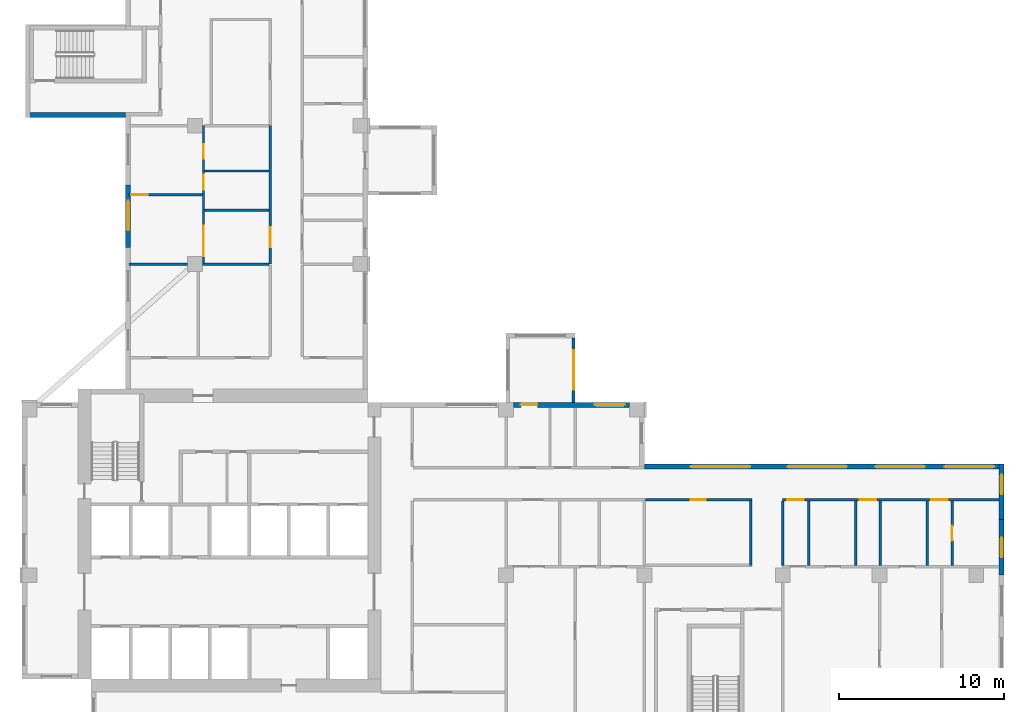
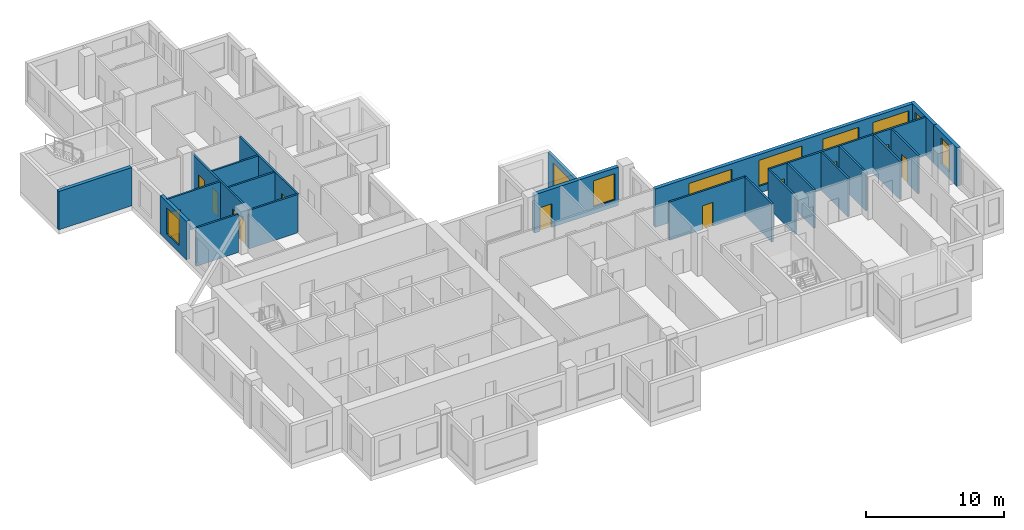
# One storey, part 6 of 12: 23 walls, 12 doors, 9 windows, 21 openings.
"""IFC4 building model written with IfcOpenShell, lengths in metres."""

from ifc_helpers import new_model, si_unit, direction, frame, frame_2d, origin, place, context, subcontext, project, spatial, rectangle, extrude, source, transform, mapped, material, layer, layer_set, type_object, element, fill, save


model = new_model("IFC4")

# Units and contexts
model_context = context("Model", 3, precision=1e-05, world=origin(), true_north=direction((0.0, 1.0)))
body_context = subcontext(model_context, "Body", "Model", "MODEL_VIEW")
ifc_project = project(units=[si_unit("LENGTHUNIT", "METRE"), si_unit("AREAUNIT", "SQUARE_METRE"), si_unit("VOLUMEUNIT", "CUBIC_METRE"), si_unit("PLANEANGLEUNIT", "RADIAN"), si_unit("MASSUNIT", "GRAM", prefix="KILO")], contexts=[model_context])

# Site, building, storey
site_placement = place(None, origin())
site = spatial("IfcSite", under=ifc_project, at=site_placement, CompositionType="ELEMENT")
building_placement = place(site_placement, origin())
building = spatial("IfcBuilding", under=site, at=building_placement, Name="Aurelian Terraces", CompositionType="ELEMENT")
storey_placement = place(building_placement, frame((0.0, 0.0, 181.6)))
storey = spatial("IfcBuildingStorey", under=building, at=storey_placement, Name="L39", CompositionType="ELEMENT", Elevation=181.6)

# Wall, opening, window
ifc_material_1 = material(Name="Terracotta rainscreen cladding", Category="masonry")
ifc_layer_1 = layer(ifc_material_1, 0.3)
ifc_layer_set_1 = layer_set([ifc_layer_1], Name="EW-300")
wall_type_1 = type_object("IfcWallType", Name="EW-300", PredefinedType="STANDARD", material=ifc_layer_set_1)
wall_1_placement = place(storey_placement, frame((59.49, 10.5, 0.0), z_axis=(0.0, 0.0, 1.0), x_axis=(0.0, 1.0, 0.0)))
wall_1 = element("IfcWall", 1, at=wall_1_placement, inside=storey, type_object=wall_type_1, Name="External wall L39 F04.12", PredefinedType="STANDARD", context=body_context, shape_type="SweptSolid", body=[
    extrude(rectangle(XDim=3.375, YDim=0.3, at=frame_2d((1.6875, 0.0))), origin(), (0.0, 0.0, 1.0), 3.4),
])
shared_shape_1 = source(origin(), body_context, "Body", "SweptSolid", [
    extrude(rectangle(XDim=1.2, YDim=2.3, at=frame_2d((0.6, 1.15))), frame((0.0, 0.16, 0.0), z_axis=(0.0, -1.0, 0.0), x_axis=(1.0, 0.0, 0.0)), (0.0, 0.0, 1.0), 0.32),
])
opening_1_placement = place(wall_1_placement, frame((1.0875, 0.0, 0.6)))
opening_1 = element("IfcOpeningElement", 2, at=opening_1_placement, cuts=wall_1, Name="Opening W1223", PredefinedType="OPENING", context=body_context, shape_type="MappedRepresentation", body=[
    mapped(shared_shape_1, transform((0.0, 0.0, 0.0), scale=1.0)),
])
ifc_material_2 = material(Name="Clear glazing", Category="glass")
window_type_1 = type_object("IfcWindowType", Name="W-1200x2300", PartitioningType="SINGLE_PANEL", PredefinedType="WINDOW", material=ifc_material_2)
shared_shape_2 = source(origin(), body_context, "Body", "SweptSolid", [
    extrude(rectangle(XDim=1.2, YDim=2.3, at=frame_2d((0.6, 1.15))), frame((0.0, 0.03, 0.0), z_axis=(0.0, -1.0, 0.0), x_axis=(1.0, 0.0, 0.0)), (0.0, 0.0, 1.0), 0.06),
])
window_1_placement = place(opening_1_placement, origin())
window_1 = element("IfcWindow", 3, at=window_1_placement, inside=storey, type_object=window_type_1, Name="Window L39 L39-F04-12-0", OverallHeight=2.3, OverallWidth=1.2, PartitioningType="SINGLE_PANEL", PredefinedType="WINDOW", context=body_context, shape_type="MappedRepresentation", body=[
    mapped(shared_shape_2, transform((0.0, 0.0, 0.0), scale=1.0)),
])
fill(opening_1, window_1)

# Wall
ifc_material_3 = material(Name="Concrete fc' 40 MPa", Category="concrete")
ifc_layer_2 = layer(ifc_material_3, 0.3)
ifc_layer_set_2 = layer_set([ifc_layer_2], Name="STAIR BAY WALL 300")
wall_type_2 = type_object("IfcWallType", Name="STAIR BAY WALL 300", PredefinedType="SOLIDWALL", material=ifc_layer_set_2)
shared_shape_3 = source(origin(), body_context, "Body", "SweptSolid", [
    extrude(rectangle(XDim=6.1, YDim=0.3, at=frame_2d((3.05, 0.0))), origin(), (0.0, 0.0, 1.0), 3.4),
])
wall_2_placement = place(storey_placement, frame((0.2, 38.45, 0.0), z_axis=(0.0, 0.0, 1.0), x_axis=(1.0, 0.0, 0.0)))
element("IfcWall", 4, at=wall_2_placement, inside=storey, type_object=wall_type_2, Name="Stair bay wall L39 F15.29", PredefinedType="SOLIDWALL", context=body_context, shape_type="MappedRepresentation", body=[
    mapped(shared_shape_3, transform((0.0, 0.0, 0.0), scale=1.0)),
])

# Wall, opening, window
ifc_layer_3 = layer(ifc_material_3, 0.2)
ifc_layer_set_3 = layer_set([ifc_layer_3], Name="BOX BEARING WALL 200")
wall_type_3 = type_object("IfcWallType", Name="BOX BEARING WALL 200", PredefinedType="SOLIDWALL", material=ifc_layer_set_3)
shared_shape_4 = source(origin(), body_context, "Body", "SweptSolid", [
    extrude(rectangle(XDim=3.9, YDim=0.2, at=frame_2d((1.95, 0.0))), origin(), (0.0, 0.0, 1.0), 3.4),
])
wall_3_placement = place(storey_placement, frame((33.5, 21.0, 0.0), z_axis=(0.0, 0.0, 1.0), x_axis=(0.0, 1.0, 0.0)))
wall_3 = element("IfcWall", 5, at=wall_3_placement, inside=storey, type_object=wall_type_3, Name="Box return L39 J52.1", PredefinedType="SOLIDWALL", context=body_context, shape_type="MappedRepresentation", body=[
    mapped(shared_shape_4, transform((0.0, 0.0, 0.0), scale=1.0)),
])
shared_shape_5 = source(origin(), body_context, "Body", "SweptSolid", [
    extrude(rectangle(XDim=2.4, YDim=2.3, at=frame_2d((1.2, 1.15))), frame((0.0, 0.11, 0.0), z_axis=(0.0, -1.0, 0.0), x_axis=(1.0, 0.0, 0.0)), (0.0, 0.0, 1.0), 0.22),
])
opening_2_placement = place(wall_3_placement, frame((0.75, 0.0, 0.6)))
opening_2 = element("IfcOpeningElement", 6, at=opening_2_placement, cuts=wall_3, Name="Opening W2423", PredefinedType="OPENING", context=body_context, shape_type="MappedRepresentation", body=[
    mapped(shared_shape_5, transform((0.0, 0.0, 0.0), scale=1.0)),
])
window_type_2 = type_object("IfcWindowType", Name="W-2400x2300", PartitioningType="SINGLE_PANEL", PredefinedType="WINDOW", material=ifc_material_2)
shared_shape_6 = source(origin(), body_context, "Body", "SweptSolid", [
    extrude(rectangle(XDim=2.4, YDim=2.3, at=frame_2d((1.2, 1.15))), frame((0.0, 0.03, 0.0), z_axis=(0.0, -1.0, 0.0), x_axis=(1.0, 0.0, 0.0)), (0.0, 0.0, 1.0), 0.06),
])
window_2_placement = place(opening_2_placement, origin())
window_2 = element("IfcWindow", 7, at=window_2_placement, inside=storey, type_object=window_type_2, Name="Window L39 J52-S1", OverallHeight=2.3, OverallWidth=2.4, PartitioningType="SINGLE_PANEL", PredefinedType="WINDOW", context=body_context, shape_type="MappedRepresentation", body=[
    mapped(shared_shape_6, transform((0.0, 0.0, 0.0), scale=1.0)),
])
fill(opening_2, window_2)

shared_shape_7 = source(origin(), body_context, "Body", "SweptSolid", [
    extrude(rectangle(XDim=3.8, YDim=0.3, at=frame_2d((1.9, 0.0))), origin(), (0.0, 0.0, 1.0), 3.4),
])
wall_4_placement = place(storey_placement, frame((6.45, 34.2, 0.0), z_axis=(0.0, 0.0, 1.0), x_axis=(0.0, -1.0, 0.0)))
wall_4 = element("IfcWall", 8, at=wall_4_placement, inside=storey, type_object=wall_type_2, Name="Bearing wall L39 F16.30", PredefinedType="SOLIDWALL", context=body_context, shape_type="MappedRepresentation", body=[
    mapped(shared_shape_7, transform((0.0, 0.0, 0.0), scale=1.0)),
])
shared_shape_8 = source(origin(), body_context, "Body", "SweptSolid", [
    extrude(rectangle(XDim=1.8, YDim=2.3, at=frame_2d((0.9, 1.15))), frame((0.0, 0.16, 0.0), z_axis=(0.0, -1.0, 0.0), x_axis=(1.0, 0.0, 0.0)), (0.0, 0.0, 1.0), 0.32),
])
opening_3_placement = place(wall_4_placement, frame((0.9625, 0.0, 0.6)))
opening_3 = element("IfcOpeningElement", 9, at=opening_3_placement, cuts=wall_4, Name="Opening W1823", PredefinedType="OPENING", context=body_context, shape_type="MappedRepresentation", body=[
    mapped(shared_shape_8, transform((0.0, 0.0, 0.0), scale=1.0)),
])
window_type_3 = type_object("IfcWindowType", Name="W-1800x2300", PartitioningType="SINGLE_PANEL", PredefinedType="WINDOW", material=ifc_material_2)
shared_shape_9 = source(origin(), body_context, "Body", "SweptSolid", [
    extrude(rectangle(XDim=1.8, YDim=2.3, at=frame_2d((0.9, 1.15))), frame((0.0, 0.03, 0.0), z_axis=(0.0, -1.0, 0.0), x_axis=(1.0, 0.0, 0.0)), (0.0, 0.0, 1.0), 0.06),
])
window_3_placement = place(opening_3_placement, origin())
window_3 = element("IfcWindow", 10, at=window_3_placement, inside=storey, type_object=window_type_3, Name="Window L39 L39-F16-30-1", OverallHeight=2.3, OverallWidth=1.8, PartitioningType="SINGLE_PANEL", PredefinedType="WINDOW", context=body_context, shape_type="MappedRepresentation", body=[
    mapped(shared_shape_9, transform((0.0, 0.0, 0.0), scale=1.0)),
])
fill(opening_3, window_3)

shared_shape_10 = source(origin(), body_context, "Body", "SweptSolid", [
    extrude(rectangle(XDim=3.375, YDim=0.3, at=frame_2d((1.6875, 0.0))), origin(), (0.0, 0.0, 1.0), 3.4),
])
wall_5_placement = place(storey_placement, frame((59.49, 13.875, 0.0), z_axis=(0.0, 0.0, 1.0), x_axis=(0.0, 1.0, 0.0)))
wall_5 = element("IfcWall", 11, at=wall_5_placement, inside=storey, type_object=wall_type_1, Name="External wall L39 F04.13", PredefinedType="STANDARD", context=body_context, shape_type="MappedRepresentation", body=[
    mapped(shared_shape_10, transform((0.0, 0.0, 0.0), scale=1.0)),
])
opening_4_placement = place(wall_5_placement, frame((1.5312, 0.0, 0.6)))
opening_4 = element("IfcOpeningElement", 12, at=opening_4_placement, cuts=wall_5, Name="Opening W1223", PredefinedType="OPENING", context=body_context, shape_type="MappedRepresentation", body=[
    mapped(shared_shape_1, transform((0.0, 0.0, 0.0), scale=1.0)),
])
window_4_placement = place(opening_4_placement, origin())
window_4 = element("IfcWindow", 13, at=window_4_placement, inside=storey, type_object=window_type_1, Name="Window L39 L39-F04-13-P0", OverallHeight=2.3, OverallWidth=1.2, PartitioningType="SINGLE_PANEL", PredefinedType="WINDOW", context=body_context, shape_type="MappedRepresentation", body=[
    mapped(shared_shape_2, transform((0.0, 0.0, 0.0), scale=1.0)),
])
fill(opening_4, window_4)

# Wall, openings, windows
shared_shape_11 = source(origin(), body_context, "Body", "SweptSolid", [
    extrude(rectangle(XDim=21.84, YDim=0.3, at=frame_2d((10.92, 0.0))), origin(), (0.0, 0.0, 1.0), 3.4),
])
wall_6_placement = place(storey_placement, frame((59.64, 17.1, 0.0), z_axis=(0.0, 0.0, 1.0), x_axis=(-1.0, 0.0, 0.0)))
wall_6 = element("IfcWall", 14, at=wall_6_placement, inside=storey, type_object=wall_type_1, Name="External wall L39 F05.14", PredefinedType="STANDARD", context=body_context, shape_type="MappedRepresentation", body=[
    mapped(shared_shape_11, transform((0.0, 0.0, 0.0), scale=1.0)),
])
shared_shape_12 = source(origin(), body_context, "Body", "SweptSolid", [
    extrude(rectangle(XDim=3.0, YDim=2.3, at=frame_2d((1.5, 1.15))), frame((0.0, 0.16, 0.0), z_axis=(0.0, -1.0, 0.0), x_axis=(1.0, 0.0, 0.0)), (0.0, 0.0, 1.0), 0.32),
])
opening_5_placement = place(wall_6_placement, frame((0.6, 0.0, 0.6)))
opening_5 = element("IfcOpeningElement", 15, at=opening_5_placement, cuts=wall_6, Name="Opening W3023", PredefinedType="OPENING", context=body_context, shape_type="MappedRepresentation", body=[
    mapped(shared_shape_12, transform((0.0, 0.0, 0.0), scale=1.0)),
])
opening_6_placement = place(wall_6_placement, frame((4.8, 0.0, 0.6)))
opening_6 = element("IfcOpeningElement", 16, at=opening_6_placement, cuts=wall_6, Name="Opening W3023", PredefinedType="OPENING", context=body_context, shape_type="MappedRepresentation", body=[
    mapped(shared_shape_12, transform((0.0, 0.0, 0.0), scale=1.0)),
])
shared_shape_13 = source(origin(), body_context, "Body", "SweptSolid", [
    extrude(rectangle(XDim=3.6, YDim=2.3, at=frame_2d((1.8, 1.15))), frame((0.0, 0.16, 0.0), z_axis=(0.0, -1.0, 0.0), x_axis=(1.0, 0.0, 0.0)), (0.0, 0.0, 1.0), 0.32),
])
opening_7_placement = place(wall_6_placement, frame((9.54, 0.0, 0.6)))
opening_7 = element("IfcOpeningElement", 17, at=opening_7_placement, cuts=wall_6, Name="Opening W3623", PredefinedType="OPENING", context=body_context, shape_type="MappedRepresentation", body=[
    mapped(shared_shape_13, transform((0.0, 0.0, 0.0), scale=1.0)),
])
opening_8_placement = place(wall_6_placement, frame((15.42, 0.0, 0.6)))
opening_8 = element("IfcOpeningElement", 18, at=opening_8_placement, cuts=wall_6, Name="Opening W3623", PredefinedType="OPENING", context=body_context, shape_type="MappedRepresentation", body=[
    mapped(shared_shape_13, transform((0.0, 0.0, 0.0), scale=1.0)),
])
window_type_4 = type_object("IfcWindowType", Name="W-3600x2300", PartitioningType="SINGLE_PANEL", PredefinedType="WINDOW", material=ifc_material_2)
shared_shape_14 = source(origin(), body_context, "Body", "SweptSolid", [
    extrude(rectangle(XDim=3.6, YDim=2.3, at=frame_2d((1.8, 1.15))), frame((0.0, 0.03, 0.0), z_axis=(0.0, -1.0, 0.0), x_axis=(1.0, 0.0, 0.0)), (0.0, 0.0, 1.0), 0.06),
])
window_5_placement = place(opening_7_placement, origin())
window_5 = element("IfcWindow", 19, at=window_5_placement, inside=storey, type_object=window_type_4, Name="Window L39 L39-F05-14-2", OverallHeight=2.3, OverallWidth=3.6, PartitioningType="SINGLE_PANEL", PredefinedType="WINDOW", context=body_context, shape_type="MappedRepresentation", body=[
    mapped(shared_shape_14, transform((0.0, 0.0, 0.0), scale=1.0)),
])
fill(opening_7, window_5)
window_6_placement = place(opening_8_placement, origin())
window_6 = element("IfcWindow", 20, at=window_6_placement, inside=storey, type_object=window_type_4, Name="Window L39 L39-F05-14-3", OverallHeight=2.3, OverallWidth=3.6, PartitioningType="SINGLE_PANEL", PredefinedType="WINDOW", context=body_context, shape_type="MappedRepresentation", body=[
    mapped(shared_shape_14, transform((0.0, 0.0, 0.0), scale=1.0)),
])
fill(opening_8, window_6)
window_type_5 = type_object("IfcWindowType", Name="W-3000x2300", PartitioningType="SINGLE_PANEL", PredefinedType="WINDOW", material=ifc_material_2)
shared_shape_15 = source(origin(), body_context, "Body", "SweptSolid", [
    extrude(rectangle(XDim=3.0, YDim=2.3, at=frame_2d((1.5, 1.15))), frame((0.0, 0.03, 0.0), z_axis=(0.0, -1.0, 0.0), x_axis=(1.0, 0.0, 0.0)), (0.0, 0.0, 1.0), 0.06),
])
window_7_placement = place(opening_5_placement, origin())
window_7 = element("IfcWindow", 21, at=window_7_placement, inside=storey, type_object=window_type_5, Name="Window L39 L39-F05-14-0", OverallHeight=2.3, OverallWidth=3.0, PartitioningType="SINGLE_PANEL", PredefinedType="WINDOW", context=body_context, shape_type="MappedRepresentation", body=[
    mapped(shared_shape_15, transform((0.0, 0.0, 0.0), scale=1.0)),
])
fill(opening_5, window_7)
window_8_placement = place(opening_6_placement, origin())
window_8 = element("IfcWindow", 22, at=window_8_placement, inside=storey, type_object=window_type_5, Name="Window L39 L39-F05-14-1", OverallHeight=2.3, OverallWidth=3.0, PartitioningType="SINGLE_PANEL", PredefinedType="WINDOW", context=body_context, shape_type="MappedRepresentation", body=[
    mapped(shared_shape_15, transform((0.0, 0.0, 0.0), scale=1.0)),
])
fill(opening_6, window_8)

# Wall, openings, window, door
shared_shape_16 = source(origin(), body_context, "Body", "SweptSolid", [
    extrude(rectangle(XDim=7.05, YDim=0.3, at=frame_2d((3.525, 0.0))), origin(), (0.0, 0.0, 1.0), 3.4),
])
wall_7_placement = place(storey_placement, frame((36.9, 20.85, 0.0), z_axis=(0.0, 0.0, 1.0), x_axis=(-1.0, 0.0, 0.0)))
wall_7 = element("IfcWall", 23, at=wall_7_placement, inside=storey, type_object=wall_type_1, Name="External wall L39 F07.16", PredefinedType="STANDARD", context=body_context, shape_type="MappedRepresentation", body=[
    mapped(shared_shape_16, transform((0.0, 0.0, 0.0), scale=1.0)),
])
opening_9_placement = place(wall_7_placement, frame((0.3, 0.0, 0.6)))
opening_9 = element("IfcOpeningElement", 24, at=opening_9_placement, cuts=wall_7, Name="Opening W1823", PredefinedType="OPENING", context=body_context, shape_type="MappedRepresentation", body=[
    mapped(shared_shape_8, transform((0.0, 0.0, 0.0), scale=1.0)),
])
shared_shape_17 = source(origin(), body_context, "Body", "SweptSolid", [
    extrude(rectangle(XDim=1.0, YDim=2.1, at=frame_2d((0.5, 1.05))), frame((0.0, 0.16, 0.0), z_axis=(0.0, -1.0, 0.0), x_axis=(1.0, 0.0, 0.0)), (0.0, 0.0, 1.0), 0.32),
])
opening_10_placement = place(wall_7_placement, frame((5.6, 0.0, 0.0)))
opening_10 = element("IfcOpeningElement", 25, at=opening_10_placement, cuts=wall_7, Name="Opening 839002", PredefinedType="OPENING", context=body_context, shape_type="MappedRepresentation", body=[
    mapped(shared_shape_17, transform((0.0, 0.0, 0.0), scale=1.0)),
])
window_9_placement = place(opening_9_placement, origin())
window_9 = element("IfcWindow", 26, at=window_9_placement, inside=storey, type_object=window_type_3, Name="Window L39 L39-F07-16-0", OverallHeight=2.3, OverallWidth=1.8, PartitioningType="SINGLE_PANEL", PredefinedType="WINDOW", context=body_context, shape_type="MappedRepresentation", body=[
    mapped(shared_shape_9, transform((0.0, 0.0, 0.0), scale=1.0)),
])
fill(opening_9, window_9)
ifc_material_4 = material(Name="Timber door leaf", Category="wood")
door_type_1 = type_object("IfcDoorType", Name="Room door 1000x2100 left", OperationType="SINGLE_SWING_LEFT", PredefinedType="DOOR", material=ifc_material_4)
shared_shape_18 = source(origin(), body_context, "Body", "SweptSolid", [
    extrude(rectangle(XDim=1.0, YDim=2.1, at=frame_2d((0.5, 1.05))), frame((0.0, 0.025, 0.0), z_axis=(0.0, -1.0, 0.0), x_axis=(1.0, 0.0, 0.0)), (0.0, 0.0, 1.0), 0.05),
])
door_1_placement = place(opening_10_placement, origin())
door_1 = element("IfcDoor", 27, at=door_1_placement, inside=storey, type_object=door_type_1, Name="Door 839002", OperationType="SINGLE_SWING_LEFT", OverallHeight=2.1, OverallWidth=1.0, PredefinedType="DOOR", context=body_context, shape_type="MappedRepresentation", body=[
    mapped(shared_shape_18, transform((0.0, 0.0, 0.0), scale=1.0)),
])
fill(opening_10, door_1)

# Wall, opening, door
ifc_material_5 = material(Name="Gypsum board on steel studs", Category="steel")
ifc_layer_4 = layer(ifc_material_5, 0.15)
ifc_layer_set_4 = layer_set([ifc_layer_4], Name="Fire partition 150")
wall_type_4 = type_object("IfcWallType", Name="Fire partition 150", PredefinedType="PARTITIONING", material=ifc_layer_set_4)
shared_shape_19 = source(origin(), body_context, "Body", "SweptSolid", [
    extrude(rectangle(XDim=6.45, YDim=0.15, at=frame_2d((3.225, 0.0))), origin(), (0.0, 0.0, 1.0), 3.4),
])
wall_8_placement = place(storey_placement, frame((44.325, 15.075, 0.0), z_axis=(0.0, 0.0, 1.0), x_axis=(-1.0, 0.0, 0.0)))
wall_8 = element("IfcWall", 28, at=wall_8_placement, inside=storey, type_object=wall_type_4, Name="Corridor wall", PredefinedType="PARTITIONING", context=body_context, shape_type="MappedRepresentation", body=[
    mapped(shared_shape_19, transform((0.0, 0.0, 0.0), scale=1.0)),
])
shared_shape_20 = source(origin(), body_context, "Body", "SweptSolid", [
    extrude(rectangle(XDim=0.9, YDim=2.1, at=frame_2d((0.45, 1.05))), frame((0.0, 0.085, 0.0), z_axis=(0.0, -1.0, 0.0), x_axis=(1.0, 0.0, 0.0)), (0.0, 0.0, 1.0), 0.17),
])
opening_11_placement = place(wall_8_placement, frame((2.8125, 0.0, 0.0)))
opening_11 = element("IfcOpeningElement", 29, at=opening_11_placement, cuts=wall_8, Name="Opening 739005", PredefinedType="OPENING", context=body_context, shape_type="MappedRepresentation", body=[
    mapped(shared_shape_20, transform((0.0, 0.0, 0.0), scale=1.0)),
])
door_type_2 = type_object("IfcDoorType", Name="Room door 900x2100 left", OperationType="SINGLE_SWING_LEFT", PredefinedType="DOOR", material=ifc_material_4)
shared_shape_21 = source(origin(), body_context, "Body", "SweptSolid", [
    extrude(rectangle(XDim=0.9, YDim=2.1, at=frame_2d((0.45, 1.05))), frame((0.0, 0.025, 0.0), z_axis=(0.0, -1.0, 0.0), x_axis=(1.0, 0.0, 0.0)), (0.0, 0.0, 1.0), 0.05),
])
door_2_placement = place(opening_11_placement, origin())
door_2 = element("IfcDoor", 30, at=door_2_placement, inside=storey, type_object=door_type_2, Name="Door 739005", OperationType="SINGLE_SWING_LEFT", OverallHeight=2.1, OverallWidth=0.9, PredefinedType="DOOR", context=body_context, shape_type="MappedRepresentation", body=[
    mapped(shared_shape_21, transform((0.0, 0.0, 0.0), scale=1.0)),
])
fill(opening_11, door_2)

# Walls
ifc_layer_5 = layer(ifc_material_5, 0.15)
ifc_layer_set_5 = layer_set([ifc_layer_5], Name="Partition 150")
wall_type_5 = type_object("IfcWallType", Name="Partition 150", PredefinedType="PARTITIONING", material=ifc_layer_set_5)
shared_shape_22 = source(origin(), body_context, "Body", "SweptSolid", [
    extrude(rectangle(XDim=3.9, YDim=0.15, at=frame_2d((1.95, 0.0))), origin(), (0.0, 0.0, 1.0), 3.4),
])
for number, where, z_axis, x_axis, name in (
    (31, (47.775, 11.1, 0.0), (0.0, 0.0, 1.0), (0.0, 1.0, 0.0), "Partition"),
    (32, (50.63, 11.1, 0.0), (0.0, 0.0, 1.0), (0.0, 1.0, 0.0), "Partition"),
    (33, (52.13, 11.1, 0.0), (0.0, 0.0, 1.0), (0.0, 1.0, 0.0), "Partition"),
    (34, (54.985, 11.1, 0.0), (0.0, 0.0, 1.0), (0.0, 1.0, 0.0), "Partition"),
):
    element("IfcWall", number, at=place(storey_placement, frame(where, z_axis=z_axis, x_axis=x_axis)), inside=storey, type_object=wall_type_5, Name=name, PredefinedType="PARTITIONING", context=body_context, shape_type="MappedRepresentation", body=[
        mapped(shared_shape_22, transform((0.0, 0.0, 0.0), scale=1.0)),
    ])

# Wall, opening, door
wall_9_placement = place(storey_placement, frame((56.485, 11.1, 0.0), z_axis=(0.0, 0.0, 1.0), x_axis=(0.0, 1.0, 0.0)))
wall_9 = element("IfcWall", 35, at=wall_9_placement, inside=storey, type_object=wall_type_5, Name="Partition", PredefinedType="PARTITIONING", context=body_context, shape_type="MappedRepresentation", body=[
    mapped(shared_shape_22, transform((0.0, 0.0, 0.0), scale=1.0)),
])
opening_12_placement = place(wall_9_placement, frame((1.5, 0.0, 0.0)))
opening_12 = element("IfcOpeningElement", 36, at=opening_12_placement, cuts=wall_9, Name="Opening 739044", PredefinedType="OPENING", context=body_context, shape_type="MappedRepresentation", body=[
    mapped(shared_shape_20, transform((0.0, 0.0, 0.0), scale=1.0)),
])
door_3_placement = place(opening_12_placement, origin())
door_3 = element("IfcDoor", 37, at=door_3_placement, inside=storey, type_object=door_type_2, Name="Door 739044", OperationType="SINGLE_SWING_LEFT", OverallHeight=2.1, OverallWidth=0.9, PredefinedType="DOOR", context=body_context, shape_type="MappedRepresentation", body=[
    mapped(shared_shape_21, transform((0.0, 0.0, 0.0), scale=1.0)),
])
fill(opening_12, door_3)

# Walls
wall_10_placement = place(storey_placement, frame((46.2, 11.1, 0.0), z_axis=(0.0, 0.0, 1.0), x_axis=(0.0, 1.0, 0.0)))
element("IfcWall", 38, at=wall_10_placement, inside=storey, type_object=wall_type_4, Name="Party wall", PredefinedType="PARTITIONING", context=body_context, shape_type="MappedRepresentation", body=[
    mapped(shared_shape_22, transform((0.0, 0.0, 0.0), scale=1.0)),
])
for number, where, z_axis, x_axis, name in (
    (39, (15.0, 32.6603, 0.0), (0.0, 0.0, 1.0), (-1.0, 0.0, 0.0), "Partition"),
    (40, (15.0, 35.0493, 0.0), (0.0, 0.0, 1.0), (-1.0, 0.0, 0.0), "Partition"),
):
    element("IfcWall", number, at=place(storey_placement, frame(where, z_axis=z_axis, x_axis=x_axis)), inside=storey, type_object=wall_type_5, Name=name, PredefinedType="PARTITIONING", context=body_context, shape_type="MappedRepresentation", body=[
        mapped(shared_shape_22, transform((0.0, 0.0, 0.0), scale=1.0)),
    ])

# Wall, openings, doors
shared_shape_23 = source(origin(), body_context, "Body", "SweptSolid", [
    extrude(rectangle(XDim=8.4, YDim=0.15, at=frame_2d((4.2, 0.0))), origin(), (0.0, 0.0, 1.0), 3.4),
])
wall_11_placement = place(storey_placement, frame((11.025, 29.4, 0.0), z_axis=(0.0, 0.0, 1.0), x_axis=(0.0, 1.0, 0.0)))
wall_11 = element("IfcWall", 41, at=wall_11_placement, inside=storey, type_object=wall_type_5, Name="Partition", PredefinedType="PARTITIONING", context=body_context, shape_type="MappedRepresentation", body=[
    mapped(shared_shape_23, transform((0.0, 0.0, 0.0), scale=1.0)),
])
opening_13_placement = place(wall_11_placement, frame((1.418, 0.0, 0.0)))
opening_13 = element("IfcOpeningElement", 42, at=opening_13_placement, cuts=wall_11, Name="Opening 739028", PredefinedType="OPENING", context=body_context, shape_type="MappedRepresentation", body=[
    mapped(shared_shape_20, transform((0.0, 0.0, 0.0), scale=1.0)),
])
opening_14_placement = place(wall_11_placement, frame((0.46, 0.0, 0.0)))
opening_14 = element("IfcOpeningElement", 43, at=opening_14_placement, cuts=wall_11, Name="Opening 739029", PredefinedType="OPENING", context=body_context, shape_type="MappedRepresentation", body=[
    mapped(shared_shape_20, transform((0.0, 0.0, 0.0), scale=1.0)),
])
opening_15_placement = place(wall_11_placement, frame((4.5247, 0.0, 0.0)))
opening_15 = element("IfcOpeningElement", 44, at=opening_15_placement, cuts=wall_11, Name="Opening 739031", PredefinedType="OPENING", context=body_context, shape_type="MappedRepresentation", body=[
    mapped(shared_shape_20, transform((0.0, 0.0, 0.0), scale=1.0)),
])
opening_16_placement = place(wall_11_placement, frame((6.3872, 0.0, 0.0)))
opening_16 = element("IfcOpeningElement", 45, at=opening_16_placement, cuts=wall_11, Name="Opening 739032", PredefinedType="OPENING", context=body_context, shape_type="MappedRepresentation", body=[
    mapped(shared_shape_20, transform((0.0, 0.0, 0.0), scale=1.0)),
])
door_4_placement = place(opening_13_placement, origin())
door_4 = element("IfcDoor", 46, at=door_4_placement, inside=storey, type_object=door_type_2, Name="Door 739028", OperationType="SINGLE_SWING_LEFT", OverallHeight=2.1, OverallWidth=0.9, PredefinedType="DOOR", context=body_context, shape_type="MappedRepresentation", body=[
    mapped(shared_shape_21, transform((0.0, 0.0, 0.0), scale=1.0)),
])
fill(opening_13, door_4)
door_type_3 = type_object("IfcDoorType", Name="Room door 900x2100 right", OperationType="SINGLE_SWING_RIGHT", PredefinedType="DOOR", material=ifc_material_4)
door_5_placement = place(opening_14_placement, origin())
door_5 = element("IfcDoor", 47, at=door_5_placement, inside=storey, type_object=door_type_3, Name="Door 739029", OperationType="SINGLE_SWING_RIGHT", OverallHeight=2.1, OverallWidth=0.9, PredefinedType="DOOR", context=body_context, shape_type="MappedRepresentation", body=[
    mapped(shared_shape_21, transform((0.0, 0.0, 0.0), scale=1.0)),
])
fill(opening_14, door_5)
door_6_placement = place(opening_15_placement, origin())
door_6 = element("IfcDoor", 48, at=door_6_placement, inside=storey, type_object=door_type_3, Name="Door 739031", OperationType="SINGLE_SWING_RIGHT", OverallHeight=2.1, OverallWidth=0.9, PredefinedType="DOOR", context=body_context, shape_type="MappedRepresentation", body=[
    mapped(shared_shape_21, transform((0.0, 0.0, 0.0), scale=1.0)),
])
fill(opening_15, door_6)
door_7_placement = place(opening_16_placement, origin())
door_7 = element("IfcDoor", 49, at=door_7_placement, inside=storey, type_object=door_type_2, Name="Door 739032", OperationType="SINGLE_SWING_LEFT", OverallHeight=2.1, OverallWidth=0.9, PredefinedType="DOOR", context=body_context, shape_type="MappedRepresentation", body=[
    mapped(shared_shape_21, transform((0.0, 0.0, 0.0), scale=1.0)),
])
fill(opening_16, door_7)

# Wall, opening, door
wall_12_placement = place(storey_placement, frame((15.075, 29.4, 0.0), z_axis=(0.0, 0.0, 1.0), x_axis=(0.0, 1.0, 0.0)))
wall_12 = element("IfcWall", 50, at=wall_12_placement, inside=storey, type_object=wall_type_4, Name="Corridor wall", PredefinedType="PARTITIONING", context=body_context, shape_type="MappedRepresentation", body=[
    mapped(shared_shape_23, transform((0.0, 0.0, 0.0), scale=1.0)),
])
shared_shape_24 = source(origin(), body_context, "Body", "SweptSolid", [
    extrude(rectangle(XDim=1.2, YDim=2.1, at=frame_2d((0.6, 1.05))), frame((0.0, 0.085, 0.0), z_axis=(0.0, -1.0, 0.0), x_axis=(1.0, 0.0, 0.0)), (0.0, 0.0, 1.0), 0.17),
])
opening_17_placement = place(wall_12_placement, frame((1.0302, 0.0, 0.0)))
opening_17 = element("IfcOpeningElement", 51, at=opening_17_placement, cuts=wall_12, Name="Opening 739027", PredefinedType="OPENING", context=body_context, shape_type="MappedRepresentation", body=[
    mapped(shared_shape_24, transform((0.0, 0.0, 0.0), scale=1.0)),
])
ifc_material_6 = material(Name="Steel door leaf", Category="steel")
door_type_4 = type_object("IfcDoorType", Name="Entrance fire door 1200x2100 right", OperationType="SINGLE_SWING_RIGHT", PredefinedType="DOOR", material=ifc_material_6)
shared_shape_25 = source(origin(), body_context, "Body", "SweptSolid", [
    extrude(rectangle(XDim=1.2, YDim=2.1, at=frame_2d((0.6, 1.05))), frame((0.0, 0.025, 0.0), z_axis=(0.0, -1.0, 0.0), x_axis=(1.0, 0.0, 0.0)), (0.0, 0.0, 1.0), 0.05),
])
door_8_placement = place(opening_17_placement, origin())
door_8 = element("IfcDoor", 52, at=door_8_placement, inside=storey, type_object=door_type_4, Name="Door 739027", OperationType="SINGLE_SWING_RIGHT", OverallHeight=2.1, OverallWidth=1.2, PredefinedType="DOOR", context=body_context, shape_type="MappedRepresentation", body=[
    mapped(shared_shape_25, transform((0.0, 0.0, 0.0), scale=1.0)),
])
fill(opening_17, door_8)

# Wall, openings, doors
shared_shape_26 = source(origin(), body_context, "Body", "SweptSolid", [
    extrude(rectangle(XDim=13.14, YDim=0.15, at=frame_2d((6.57, 0.0))), origin(), (0.0, 0.0, 1.0), 3.4),
])
wall_13_placement = place(storey_placement, frame((59.34, 15.075, 0.0), z_axis=(0.0, 0.0, 1.0), x_axis=(-1.0, 0.0, 0.0)))
wall_13 = element("IfcWall", 53, at=wall_13_placement, inside=storey, type_object=wall_type_4, Name="Corridor wall", PredefinedType="PARTITIONING", context=body_context, shape_type="MappedRepresentation", body=[
    mapped(shared_shape_26, transform((0.0, 0.0, 0.0), scale=1.0)),
])
shared_shape_27 = source(origin(), body_context, "Body", "SweptSolid", [
    extrude(rectangle(XDim=1.0, YDim=2.1, at=frame_2d((0.5, 1.05))), frame((0.0, 0.085, 0.0), z_axis=(0.0, -1.0, 0.0), x_axis=(1.0, 0.0, 0.0)), (0.0, 0.0, 1.0), 0.17),
])
opening_18_placement = place(wall_13_placement, frame((11.8525, 0.0, 0.0)))
opening_18 = element("IfcOpeningElement", 54, at=opening_18_placement, cuts=wall_13, Name="Opening 739013", PredefinedType="OPENING", context=body_context, shape_type="MappedRepresentation", body=[
    mapped(shared_shape_27, transform((0.0, 0.0, 0.0), scale=1.0)),
])
opening_19_placement = place(wall_13_placement, frame((7.46, 0.0, 0.0)))
opening_19 = element("IfcOpeningElement", 55, at=opening_19_placement, cuts=wall_13, Name="Opening 739016", PredefinedType="OPENING", context=body_context, shape_type="MappedRepresentation", body=[
    mapped(shared_shape_27, transform((0.0, 0.0, 0.0), scale=1.0)),
])
opening_20_placement = place(wall_13_placement, frame((3.105, 0.0, 0.0)))
opening_20 = element("IfcOpeningElement", 56, at=opening_20_placement, cuts=wall_13, Name="Opening 739018", PredefinedType="OPENING", context=body_context, shape_type="MappedRepresentation", body=[
    mapped(shared_shape_27, transform((0.0, 0.0, 0.0), scale=1.0)),
])
door_type_5 = type_object("IfcDoorType", Name="Entrance fire door 1000x2100 right", OperationType="SINGLE_SWING_RIGHT", PredefinedType="DOOR", material=ifc_material_6)
door_9_placement = place(opening_18_placement, origin())
door_9 = element("IfcDoor", 57, at=door_9_placement, inside=storey, type_object=door_type_5, Name="Door 739013", OperationType="SINGLE_SWING_RIGHT", OverallHeight=2.1, OverallWidth=1.0, PredefinedType="DOOR", context=body_context, shape_type="MappedRepresentation", body=[
    mapped(shared_shape_18, transform((0.0, 0.0, 0.0), scale=1.0)),
])
fill(opening_18, door_9)
door_type_6 = type_object("IfcDoorType", Name="Entrance fire door 1000x2100 left", OperationType="SINGLE_SWING_LEFT", PredefinedType="DOOR", material=ifc_material_6)
door_10_placement = place(opening_19_placement, origin())
door_10 = element("IfcDoor", 58, at=door_10_placement, inside=storey, type_object=door_type_6, Name="Door 739016", OperationType="SINGLE_SWING_LEFT", OverallHeight=2.1, OverallWidth=1.0, PredefinedType="DOOR", context=body_context, shape_type="MappedRepresentation", body=[
    mapped(shared_shape_18, transform((0.0, 0.0, 0.0), scale=1.0)),
])
fill(opening_19, door_10)
door_11_placement = place(opening_20_placement, origin())
door_11 = element("IfcDoor", 59, at=door_11_placement, inside=storey, type_object=door_type_5, Name="Door 739018", OperationType="SINGLE_SWING_RIGHT", OverallHeight=2.1, OverallWidth=1.0, PredefinedType="DOOR", context=body_context, shape_type="MappedRepresentation", body=[
    mapped(shared_shape_18, transform((0.0, 0.0, 0.0), scale=1.0)),
])
fill(opening_20, door_11)

# Walls
shared_shape_28 = source(origin(), body_context, "Body", "SweptSolid", [
    extrude(rectangle(XDim=4.051, YDim=0.15, at=frame_2d((2.0255, 0.0))), origin(), (0.0, 0.0, 1.0), 3.4),
])
wall_14_placement = place(storey_placement, frame((15.0, 29.4, 0.0), z_axis=(0.0, 0.0, 1.0), x_axis=(-1.0, 0.0, 0.0)))
element("IfcWall", 60, at=wall_14_placement, inside=storey, type_object=wall_type_5, Name="Partition", PredefinedType="PARTITIONING", context=body_context, shape_type="MappedRepresentation", body=[
    mapped(shared_shape_28, transform((0.0, 0.0, 0.0), scale=1.0)),
])
shared_shape_29 = source(origin(), body_context, "Body", "SweptSolid", [
    extrude(rectangle(XDim=3.546, YDim=0.15, at=frame_2d((1.773, 0.0))), origin(), (0.0, 0.0, 1.0), 3.4),
])
wall_15_placement = place(storey_placement, frame((10.051, 29.4, 0.0), z_axis=(0.0, 0.0, 1.0), x_axis=(-1.0, 0.0, 0.0)))
element("IfcWall", 61, at=wall_15_placement, inside=storey, type_object=wall_type_5, Name="Partition", PredefinedType="PARTITIONING", context=body_context, shape_type="MappedRepresentation", body=[
    mapped(shared_shape_29, transform((0.0, 0.0, 0.0), scale=1.0)),
])
shared_shape_30 = source(origin(), body_context, "Body", "SweptSolid", [
    extrude(rectangle(XDim=3.975, YDim=0.15, at=frame_2d((1.9875, 0.0))), origin(), (0.0, 0.0, 1.0), 3.4),
])
wall_16_placement = place(storey_placement, frame((44.25, 11.1, 0.0), z_axis=(0.0, 0.0, 1.0), x_axis=(0.0, 1.0, 0.0)))
element("IfcWall", 62, at=wall_16_placement, inside=storey, type_object=wall_type_5, Name="Partition", PredefinedType="PARTITIONING", context=body_context, shape_type="MappedRepresentation", body=[
    mapped(shared_shape_30, transform((0.0, 0.0, 0.0), scale=1.0)),
])

# Wall, opening, door
shared_shape_31 = source(origin(), body_context, "Body", "SweptSolid", [
    extrude(rectangle(XDim=4.445, YDim=0.15, at=frame_2d((2.2225, 0.0))), origin(), (0.0, 0.0, 1.0), 3.4),
])
wall_17_placement = place(storey_placement, frame((10.95, 33.6, 0.0), z_axis=(0.0, 0.0, 1.0), x_axis=(-1.0, 0.0, 0.0)))
wall_17 = element("IfcWall", 63, at=wall_17_placement, inside=storey, type_object=wall_type_5, Name="Partition", PredefinedType="PARTITIONING", context=body_context, shape_type="MappedRepresentation", body=[
    mapped(shared_shape_31, transform((0.0, 0.0, 0.0), scale=1.0)),
])
opening_21_placement = place(wall_17_placement, frame((3.325, 0.0, 0.0)))
opening_21 = element("IfcOpeningElement", 64, at=opening_21_placement, cuts=wall_17, Name="Opening 739030", PredefinedType="OPENING", context=body_context, shape_type="MappedRepresentation", body=[
    mapped(shared_shape_27, transform((0.0, 0.0, 0.0), scale=1.0)),
])
door_12_placement = place(opening_21_placement, origin())
door_12 = element("IfcDoor", 65, at=door_12_placement, inside=storey, type_object=door_type_1, Name="Door 739030", OperationType="SINGLE_SWING_LEFT", OverallHeight=2.1, OverallWidth=1.0, PredefinedType="DOOR", context=body_context, shape_type="MappedRepresentation", body=[
    mapped(shared_shape_18, transform((0.0, 0.0, 0.0), scale=1.0)),
])
fill(opening_21, door_12)

save(model, "model.ifc")
